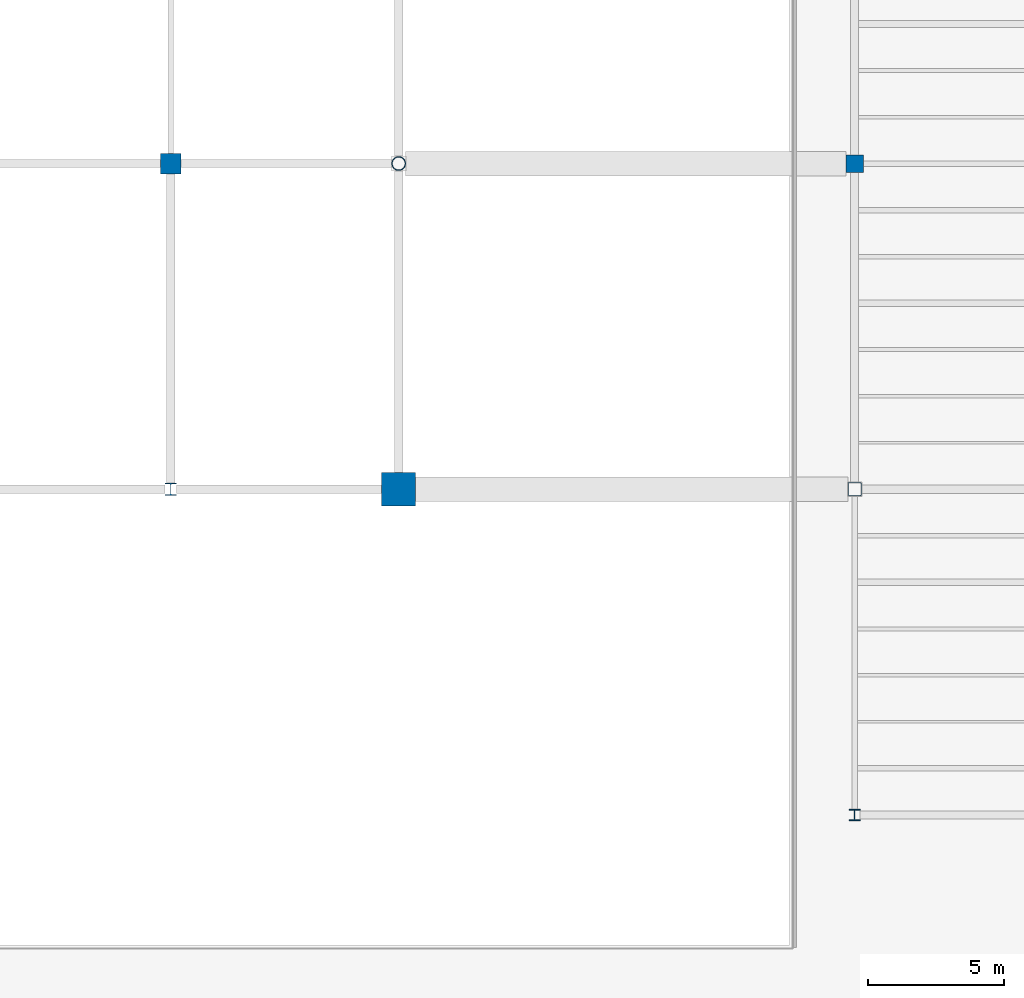
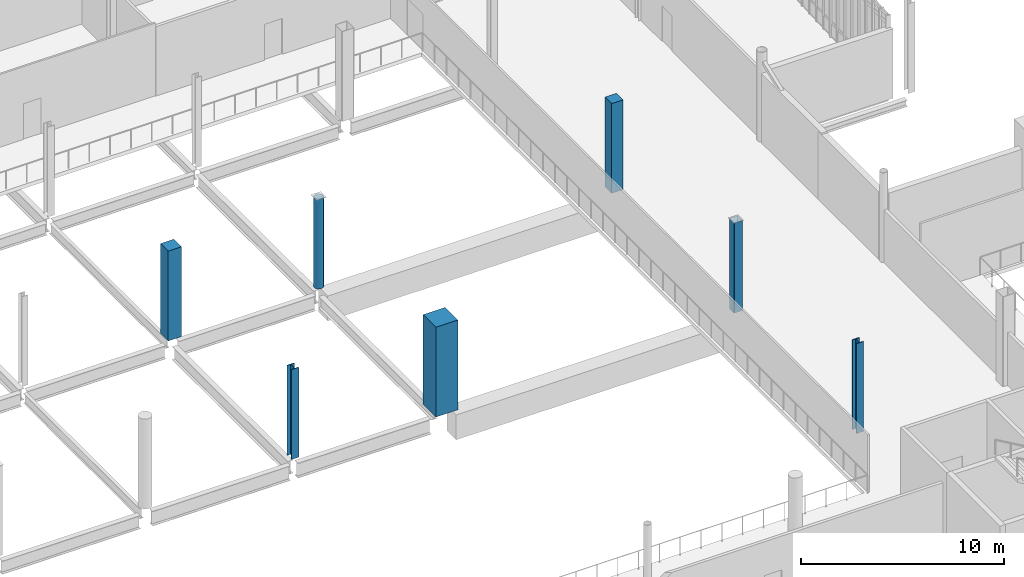
# One storey, part 4 of 127: 7 columns.
"""IFC4 building model written with IfcOpenShell, lengths in metres."""

from ifc_helpers import new_model, si_unit, direction, frame, origin, origin_2d, place, context, subcontext, project, spatial, rectangle, hollow_rectangle, hollow_circle, i_section, extrude, material, material_profile, profile_set, type_object, element, save


model = new_model("IFC4")

# Units and contexts
model_context = context("Model", 3, precision=1e-05, world=origin(), true_north=direction((0.0, 1.0)))
body_context = subcontext(model_context, "Body", "Model", "MODEL_VIEW")
ifc_project = project(units=[si_unit("LENGTHUNIT", "METRE"), si_unit("AREAUNIT", "SQUARE_METRE"), si_unit("VOLUMEUNIT", "CUBIC_METRE"), si_unit("PLANEANGLEUNIT", "RADIAN"), si_unit("MASSUNIT", "GRAM", prefix="KILO")], contexts=[model_context])

# Site, building, storey
site_placement = place(None, origin())
site = spatial("IfcSite", under=ifc_project, at=site_placement, CompositionType="ELEMENT")
building_placement = place(site_placement, origin())
building = spatial("IfcBuilding", under=site, at=building_placement, Name="Larkvane Passage Sports Hall", CompositionType="ELEMENT")
storey_placement = place(building_placement, frame((0.0, 0.0, 5.39990234375)))
storey = spatial("IfcBuildingStorey", under=building, at=storey_placement, Name="L01", CompositionType="ELEMENT", Elevation=5.39990234375)

# Columns
ifc_material_1 = material(Name="Concrete C50/60", Category="concrete")
ifc_material_profile_1 = material_profile(ifc_material_1, rectangle(XDim=1.25, YDim=1.25, at=origin_2d()), Name="RC-COL-1250x1250")
ifc_profile_set_1 = profile_set([ifc_material_profile_1], Name="Concrete C50/60")
column_type_1 = type_object("IfcColumnType", Name="COL-RC-1250", PredefinedType="COLUMN", material=ifc_profile_set_1)
column_1_placement = place(storey_placement, frame((68.39990234375, 51.60009765625, 0.0), z_axis=(0.0, 0.0, 1.0), x_axis=(1.0, 0.0, 0.0)))
element("IfcColumn", 1, at=column_1_placement, inside=storey, type_object=column_type_1, Name="Column 10/G L01", PredefinedType="COLUMN", context=body_context, shape_type="SweptSolid", body=[
    extrude(rectangle(XDim=1.25, YDim=1.25, at=origin_2d()), origin(), (0.0, 0.0, 1.0), 5.400146484375),
])
ifc_material_2 = material(Name="Concrete C40/50", Category="concrete")
ifc_material_profile_2 = material_profile(ifc_material_2, rectangle(XDim=0.64990234375, YDim=0.64990234375, at=origin_2d()), Name="RC-COL-650x650")
ifc_profile_set_2 = profile_set([ifc_material_profile_2], Name="Concrete C40/50")
column_type_2 = type_object("IfcColumnType", Name="COL-RC-650", PredefinedType="COLUMN", material=ifc_profile_set_2)
column_2_placement = place(storey_placement, frame((85.199951171875, 63.60009765625, 0.0), z_axis=(0.0, 0.0, 1.0), x_axis=(1.0, 0.0, 0.0)))
element("IfcColumn", 2, at=column_2_placement, inside=storey, type_object=column_type_2, Name="Column 12/H L01", PredefinedType="COLUMN", context=body_context, shape_type="SweptSolid", body=[
    extrude(rectangle(XDim=0.64990234375, YDim=0.64990234375, at=origin_2d()), origin(), (0.0, 0.0, 1.0), 5.400146484375),
])
ifc_material_profile_3 = material_profile(ifc_material_2, rectangle(XDim=0.75, YDim=0.75, at=origin_2d()), Name="RC-COL-750x750")
ifc_profile_set_3 = profile_set([ifc_material_profile_3], Name="Concrete C40/50")
column_type_3 = type_object("IfcColumnType", Name="COL-RC-750", PredefinedType="COLUMN", material=ifc_profile_set_3)
column_3_placement = place(storey_placement, frame((60.0, 63.60009765625, 0.0), z_axis=(0.0, 0.0, 1.0), x_axis=(1.0, 0.0, 0.0)))
element("IfcColumn", 3, at=column_3_placement, inside=storey, type_object=column_type_3, Name="Column 9/H L01", PredefinedType="COLUMN", context=body_context, shape_type="SweptSolid", body=[
    extrude(rectangle(XDim=0.75, YDim=0.75, at=origin_2d()), origin(), (0.0, 0.0, 1.0), 5.400146484375),
])
ifc_material_3 = material(Name="Steel S460N", Category="steel")
ifc_material_profile_4 = material_profile(ifc_material_3, hollow_circle(Radius=0.25390625, WallThickness=0.01904296875, at=origin_2d()), Name="CHS-508.0x19.0")
ifc_profile_set_4 = profile_set([ifc_material_profile_4], Name="Steel S460N")
column_type_4 = type_object("IfcColumnType", Name="COL-STL-CHS508", PredefinedType="COLUMN", material=ifc_profile_set_4)
column_4_placement = place(storey_placement, frame((68.39990234375, 63.60009765625, 0.0), z_axis=(0.0, 0.0, 1.0), x_axis=(1.0, 0.0, 0.0)))
element("IfcColumn", 4, at=column_4_placement, inside=storey, type_object=column_type_4, Name="Column 10/H L01", PredefinedType="COLUMN", context=body_context, shape_type="SweptSolid", body=[
    extrude(hollow_circle(Radius=0.25390625, WallThickness=0.01904296875, at=origin_2d()), origin(), (0.0, 0.0, 1.0), 5.400146484375),
])
ifc_material_profile_5 = material_profile(ifc_material_3, i_section(OverallWidth=0.405029296875, OverallDepth=0.4140625, WebThickness=0.01806640625, FlangeThickness=0.028076171875, FilletRadius=0.02197265625, at=origin_2d()), Name="H-414x405x18x28")
ifc_profile_set_5 = profile_set([ifc_material_profile_5], Name="Steel S460N")
column_type_5 = type_object("IfcColumnType", Name="COL-STL-H414", PredefinedType="COLUMN", material=ifc_profile_set_5)
column_5_placement = place(storey_placement, frame((85.199951171875, 39.60009765625, 0.0), z_axis=(0.0, 0.0, 1.0), x_axis=(1.0, 0.0, 0.0)))
element("IfcColumn", 5, at=column_5_placement, inside=storey, type_object=column_type_5, Name="Column 12/F L01", PredefinedType="COLUMN", context=body_context, shape_type="SweptSolid", body=[
    extrude(i_section(OverallWidth=0.405029296875, OverallDepth=0.4140625, WebThickness=0.01806640625, FlangeThickness=0.028076171875, FilletRadius=0.02197265625, at=origin_2d()), origin(), (0.0, 0.0, 1.0), 5.400146484375),
])
ifc_material_profile_6 = material_profile(ifc_material_3, i_section(OverallWidth=0.4169921875, OverallDepth=0.4580078125, WebThickness=0.030029296875, FlangeThickness=0.0400390625, FilletRadius=0.02197265625, at=origin_2d()), Name="H-458x417x30x40")
ifc_profile_set_6 = profile_set([ifc_material_profile_6], Name="Steel S460N")
column_type_6 = type_object("IfcColumnType", Name="COL-STL-H458", PredefinedType="COLUMN", material=ifc_profile_set_6)
column_6_placement = place(storey_placement, frame((60.0, 51.60009765625, 0.0), z_axis=(0.0, 0.0, 1.0), x_axis=(1.0, 0.0, 0.0)))
element("IfcColumn", 6, at=column_6_placement, inside=storey, type_object=column_type_6, Name="Column 9/G L01", PredefinedType="COLUMN", context=body_context, shape_type="SweptSolid", body=[
    extrude(i_section(OverallWidth=0.4169921875, OverallDepth=0.4580078125, WebThickness=0.030029296875, FlangeThickness=0.0400390625, FilletRadius=0.02197265625, at=origin_2d()), origin(), (0.0, 0.0, 1.0), 5.400146484375),
])
ifc_material_profile_7 = material_profile(ifc_material_3, hollow_rectangle(XDim=0.5, YDim=0.5, WallThickness=0.02197265625, InnerFilletRadius=0.02197265625, OuterFilletRadius=0.0439453125, at=origin_2d()), Name="SHS-500x500x22")
ifc_profile_set_7 = profile_set([ifc_material_profile_7], Name="Steel S460N")
column_type_7 = type_object("IfcColumnType", Name="COL-STL-SHS500", PredefinedType="COLUMN", material=ifc_profile_set_7)
column_7_placement = place(storey_placement, frame((85.199951171875, 51.60009765625, 0.0), z_axis=(0.0, 0.0, 1.0), x_axis=(1.0, 0.0, 0.0)))
element("IfcColumn", 7, at=column_7_placement, inside=storey, type_object=column_type_7, Name="Column 12/G L01", PredefinedType="COLUMN", context=body_context, shape_type="SweptSolid", body=[
    extrude(hollow_rectangle(XDim=0.5, YDim=0.5, WallThickness=0.02197265625, InnerFilletRadius=0.02197265625, OuterFilletRadius=0.0439453125, at=origin_2d()), origin(), (0.0, 0.0, 1.0), 5.400146484375),
])

save(model, "model.ifc")
